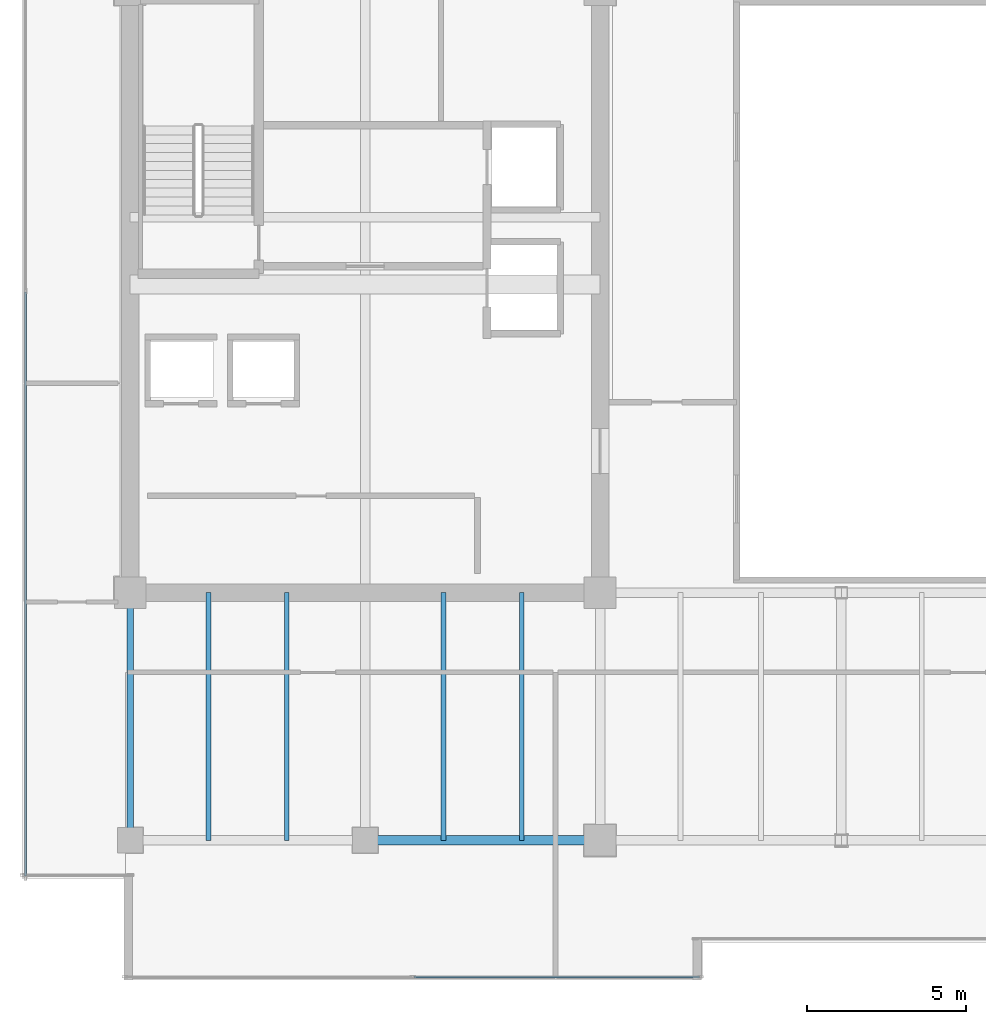
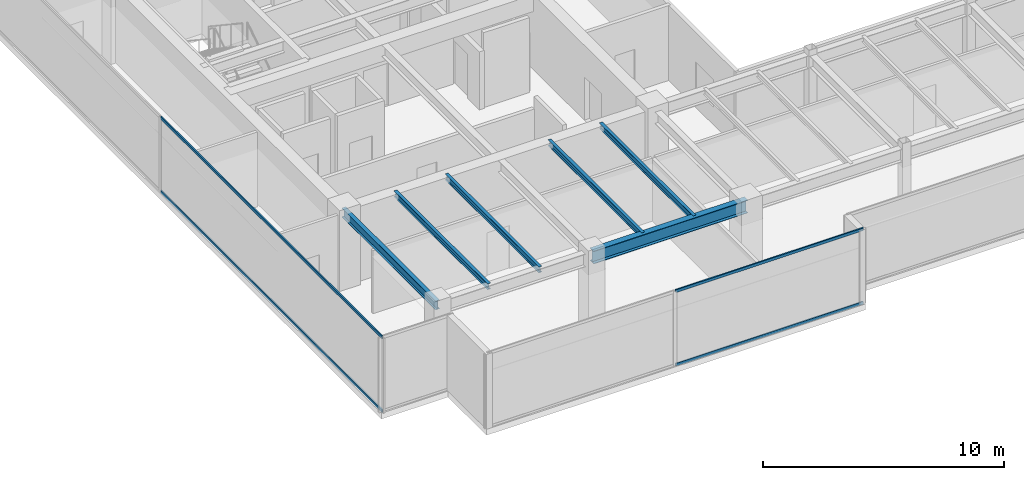
# One storey, part 6 of 35: 6 beams, 4 members, 2 elements without a shape of their own.
"""IFC4 building model written with IfcOpenShell, lengths in metres."""

from ifc_helpers import new_model, si_unit, direction, frame, origin, origin_2d, place, context, subcontext, project, spatial, hollow_rectangle, i_section, extrude, source, transform, mapped, material, layer, layer_set, material_profile, profile_set, type_object, type_shapes, element, aggregate, save


model = new_model("IFC4")

# Units and contexts
model_context = context("Model", 3, precision=1e-05, world=origin(), true_north=direction((0.0, 1.0)))
body_context = subcontext(model_context, "Body", "Model", "MODEL_VIEW")
ifc_project = project(units=[si_unit("LENGTHUNIT", "METRE"), si_unit("AREAUNIT", "SQUARE_METRE"), si_unit("VOLUMEUNIT", "CUBIC_METRE"), si_unit("PLANEANGLEUNIT", "RADIAN"), si_unit("MASSUNIT", "GRAM", prefix="KILO")], contexts=[model_context])

# Site, building, storey
site_placement = place(None, origin())
site = spatial("IfcSite", under=ifc_project, at=site_placement, CompositionType="ELEMENT")
building_placement = place(site_placement, origin())
building = spatial("IfcBuilding", under=site, at=building_placement, Name="Haelvirn Gate Laboratories", CompositionType="ELEMENT")
storey_placement = place(building_placement, frame((0.0, 0.0, 234.199951171875)))
storey = spatial("IfcBuildingStorey", under=building, at=storey_placement, Name="L56", CompositionType="ELEMENT", Elevation=234.199951171875)

# Beams
ifc_material_1 = material(Name="Steel SM355", Category="steel")
ifc_material_profile_1 = material_profile(ifc_material_1, i_section(OverallWidth=0.14990234375, OverallDepth=0.300048828125, WebThickness=0.006591796875, FlangeThickness=0.009033203125, at=origin_2d()), Name="H-300x150x6.5x9")
ifc_profile_set_1 = profile_set([ifc_material_profile_1], Name="Steel SM355")
beam_type_1 = type_object("IfcBeamType", Name="BM-J-300", PredefinedType="JOIST", material=ifc_profile_set_1)
shared_shape_1 = source(origin(), body_context, "Body", "SweptSolid", [
    extrude(i_section(OverallWidth=0.14990234375, OverallDepth=0.300048828125, WebThickness=0.006591796875, FlangeThickness=0.009033203125, at=origin_2d()), origin(), (0.0, 0.0, 1.0), 7.800048828125),
])
type_shapes(beam_type_1, [shared_shape_1])
for number, where, z_axis, x_axis, name in (
    (1, (9.8701171875, 7.0, 3.650146484375), (0.0, 1.0, 0.0), (-1.0, 0.0, 0.0), "L56 Composite Lab Joist South X9.87"),
    (2, (12.330078125, 7.0, 3.650146484375), (0.0, 1.0, 0.0), (-1.0, 0.0, 0.0), "L56 Composite Lab Joist South X12.33"),
    (3, (17.27001953125, 7.0, 3.650146484375), (0.0, 1.0, 0.0), (-1.0, 0.0, 0.0), "L56 Composite Lab Joist South X17.27"),
    (4, (19.72998046875, 7.0, 3.650146484375), (0.0, 1.0, 0.0), (-1.0, 0.0, 0.0), "L56 Composite Lab Joist South X19.73"),
):
    element("IfcBeam", number, at=place(storey_placement, frame(where, z_axis=z_axis, x_axis=x_axis)), inside=storey, type_object=beam_type_1, Name=name, PredefinedType="JOIST", context=body_context, shape_type="MappedRepresentation", body=[
        mapped(shared_shape_1, transform((0.0, 0.0, 0.0), scale=1.0)),
    ])
ifc_material_profile_2 = material_profile(ifc_material_1, i_section(OverallWidth=0.300048828125, OverallDepth=0.64990234375, WebThickness=0.012939453125, FlangeThickness=0.02197265625, at=origin_2d()), Name="H-650x300x13x22")
ifc_profile_set_2 = profile_set([ifc_material_profile_2], Name="Steel SM355")
beam_type_2 = type_object("IfcBeamType", Name="BM-G-650", PredefinedType="BEAM", material=ifc_profile_set_2)
shared_shape_2 = source(origin(), body_context, "Body", "SweptSolid", [
    extrude(i_section(OverallWidth=0.300048828125, OverallDepth=0.64990234375, WebThickness=0.012939453125, FlangeThickness=0.02197265625, at=origin_2d()), origin(), (0.0, 0.0, 1.0), 7.39990234375),
])
type_shapes(beam_type_2, [shared_shape_2])
beam_1_placement = place(storey_placement, frame((14.800048828125, 7.0, 3.47509765625), z_axis=(1.0, 0.0, 0.0), x_axis=(0.0, 1.0, 0.0)))
element("IfcBeam", 5, at=beam_1_placement, inside=storey, type_object=beam_type_2, Name="L56 Primary Girder Y7.0 (14.8-22.2)", PredefinedType="BEAM", context=body_context, shape_type="MappedRepresentation", body=[
    mapped(shared_shape_2, transform((0.0, 0.0, 0.0), scale=1.0)),
])
ifc_material_profile_3 = material_profile(ifc_material_1, i_section(OverallWidth=0.199951171875, OverallDepth=0.449951171875, WebThickness=0.009033203125, FlangeThickness=0.013916015625, at=origin_2d()), Name="H-450x200x9x14")
ifc_profile_set_3 = profile_set([ifc_material_profile_3], Name="Steel SM355")
beam_type_3 = type_object("IfcBeamType", Name="BM-SP-450", PredefinedType="SPANDREL", material=ifc_profile_set_3)
shared_shape_3 = source(origin(), body_context, "Body", "SweptSolid", [
    extrude(i_section(OverallWidth=0.199951171875, OverallDepth=0.449951171875, WebThickness=0.009033203125, FlangeThickness=0.013916015625, at=origin_2d()), origin(), (0.0, 0.0, 1.0), 7.800048828125),
])
type_shapes(beam_type_3, [shared_shape_3])
beam_2_placement = place(storey_placement, frame((7.39990234375, 7.0, 3.574951171875), z_axis=(0.0, 1.0, 0.0), x_axis=(-1.0, 0.0, 0.0)))
element("IfcBeam", 6, at=beam_2_placement, inside=storey, type_object=beam_type_3, Name="L56 Perimeter Spandrel X7.4 (7.0-14.8)", PredefinedType="SPANDREL", context=body_context, shape_type="MappedRepresentation", body=[
    mapped(shared_shape_3, transform((0.0, 0.0, 0.0), scale=1.0)),
])

# Curtain wall, members
ifc_material_2 = material(Name="Anodised bronze unitised aluminium & triple low-E glass", Category="aluminium")
ifc_layer = layer(ifc_material_2, 0.176025390625, Name="CW-SYS-4")
ifc_layer_set = layer_set([ifc_layer], Name="Anodised bronze unitised aluminium & triple low-E glass")
curtain_wall_type = type_object("IfcCurtainWallType", Name="CW-SYS-4", PredefinedType="NOTDEFINED", material=ifc_layer_set)
curtain_wall_1_placement = place(storey_placement, origin())
curtain_wall_1 = element("IfcCurtainWall", 7, at=curtain_wall_1_placement, inside=storey, type_object=curtain_wall_type, Name="L56 Unitised Curtain Wall CW-L56-P0-E00-1", PredefinedType="NOTDEFINED")
ifc_material_3 = material(Name="Extruded aluminium 6063-T6 (anodised bronze)", Category="aluminium")
ifc_material_profile_4 = material_profile(ifc_material_3, hollow_rectangle(XDim=0.06494140625, YDim=0.139892578125, WallThickness=0.00390625, at=origin_2d()), Name="CWT-140x65x4")
ifc_profile_set_4 = profile_set([ifc_material_profile_4], Name="Extruded aluminium 6063-T6 (anodised bronze)")
member_type = type_object("IfcMemberType", Name="CWT-T140", PredefinedType="USERDEFINED", material=ifc_profile_set_4)
shared_shape_4 = source(origin(), body_context, "Body", "SweptSolid", [
    extrude(hollow_rectangle(XDim=0.06494140625, YDim=0.139892578125, WallThickness=0.00390625, at=origin_2d()), origin(), (0.0, 0.0, 1.0), 8.9951171875),
])
member_1_placement = place(storey_placement, frame((16.3349609375, 2.699951171875, 0.032470703125), z_axis=(1.0, 0.0, 0.0), x_axis=(0.0, 1.0, 0.0)))
member_1 = element("IfcMember", 8, at=member_1_placement, type_object=member_type, Name="CW4 transom 2.1", ObjectType="TRANSOM", PredefinedType="USERDEFINED", context=body_context, shape_type="MappedRepresentation", body=[
    mapped(shared_shape_4, transform((0.0, 0.0, 0.0), scale=1.0)),
])
member_2_placement = place(storey_placement, frame((16.3349609375, 2.699951171875, 3.767578125), z_axis=(1.0, 0.0, 0.0), x_axis=(0.0, 1.0, 0.0)))
member_2 = element("IfcMember", 9, at=member_2_placement, type_object=member_type, Name="CW4 transom 2.2", ObjectType="TRANSOM", PredefinedType="USERDEFINED", context=body_context, shape_type="MappedRepresentation", body=[
    mapped(shared_shape_4, transform((0.0, 0.0, 0.0), scale=1.0)),
])
aggregate(curtain_wall_1, [member_1, member_2])

curtain_wall_2_placement = place(storey_placement, origin())
curtain_wall_2 = element("IfcCurtainWall", 10, at=curtain_wall_2_placement, inside=storey, type_object=curtain_wall_type, Name="L56 Unitised Curtain Wall CW-L56-P0-E17", PredefinedType="NOTDEFINED")
shared_shape_5 = source(origin(), body_context, "Body", "SweptSolid", [
    extrude(hollow_rectangle(XDim=0.06494140625, YDim=0.139892578125, WallThickness=0.00390625, at=origin_2d()), origin(), (0.0, 0.0, 1.0), 18.394775390625),
])
type_shapes(member_type, [shared_shape_4, shared_shape_5])
member_3_placement = place(storey_placement, frame((4.10009765625, 24.264892578125, 0.032470703125), z_axis=(0.0, -1.0, 0.0), x_axis=(1.0, 0.0, 0.0)))
member_3 = element("IfcMember", 11, at=member_3_placement, type_object=member_type, Name="CW4 transom 2.1", ObjectType="TRANSOM", PredefinedType="USERDEFINED", context=body_context, shape_type="MappedRepresentation", body=[
    mapped(shared_shape_5, transform((0.0, 0.0, 0.0), scale=1.0)),
])
member_4_placement = place(storey_placement, frame((4.10009765625, 24.264892578125, 3.767578125), z_axis=(0.0, -1.0, 0.0), x_axis=(1.0, 0.0, 0.0)))
member_4 = element("IfcMember", 12, at=member_4_placement, type_object=member_type, Name="CW4 transom 2.2", ObjectType="TRANSOM", PredefinedType="USERDEFINED", context=body_context, shape_type="MappedRepresentation", body=[
    mapped(shared_shape_5, transform((0.0, 0.0, 0.0), scale=1.0)),
])
aggregate(curtain_wall_2, [member_3, member_4])

save(model, "model.ifc")
